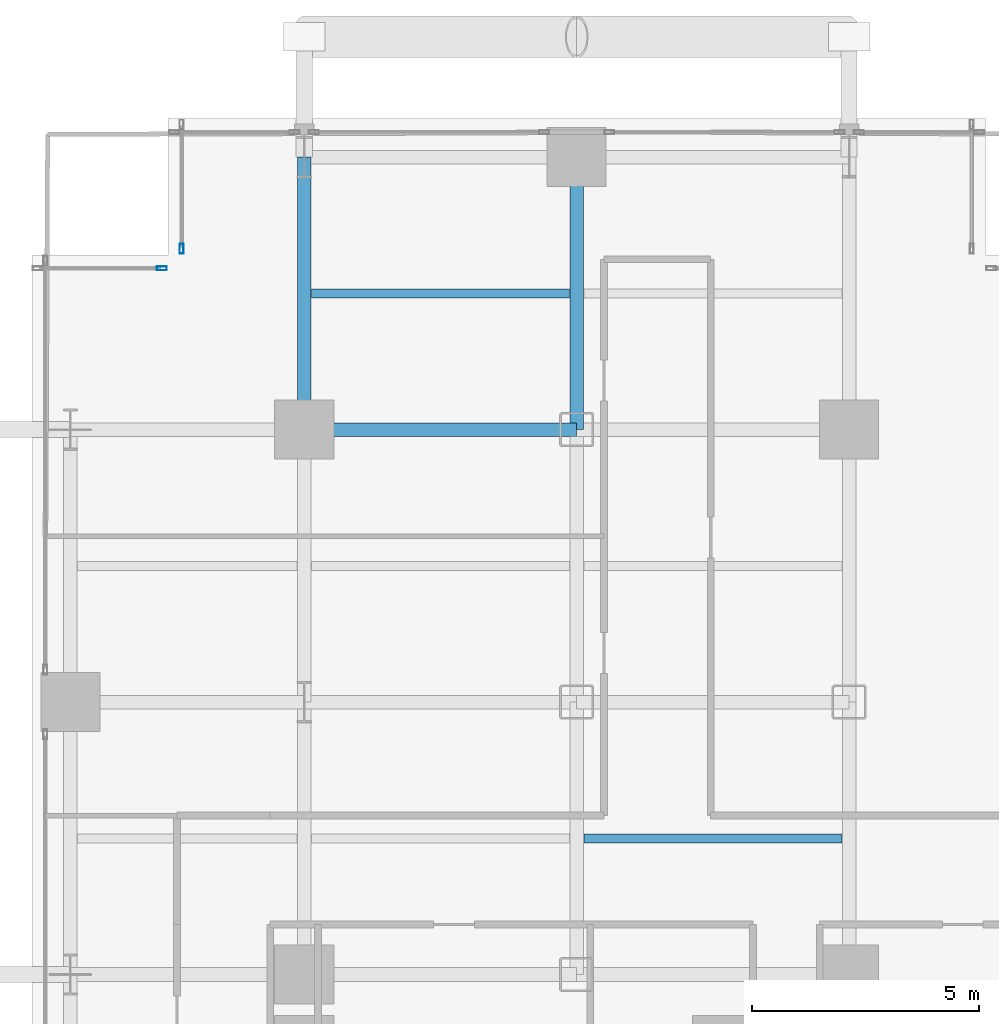
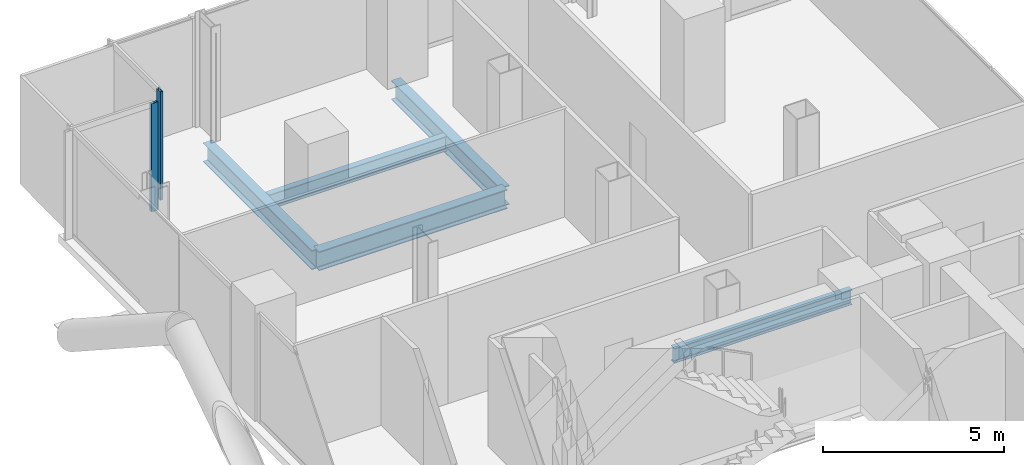
# One storey, part 14 of 25: 5 beams, 2 members, 2 elements without a shape of their own.
"""IFC4 building model written with IfcOpenShell, lengths in metres."""

from ifc_helpers import new_model, si_unit, direction, frame, origin, origin_2d, place, context, subcontext, project, spatial, hollow_rectangle, i_section, extrude, material, layer, layer_set, material_profile, profile_set, type_object, element, aggregate, save


model = new_model("IFC4")

# Units and contexts
model_context = context("Model", 3, precision=1e-05, world=origin(), true_north=direction((0.0, 1.0)))
body_context = subcontext(model_context, "Body", "Model", "MODEL_VIEW")
ifc_project = project(units=[si_unit("LENGTHUNIT", "METRE"), si_unit("AREAUNIT", "SQUARE_METRE"), si_unit("VOLUMEUNIT", "CUBIC_METRE"), si_unit("PLANEANGLEUNIT", "RADIAN"), si_unit("MASSUNIT", "GRAM", prefix="KILO"), si_unit("THERMODYNAMICTEMPERATUREUNIT", "KELVIN"), si_unit("POWERUNIT", "WATT")], contexts=[model_context])

# Site, building, storey
site_placement = place(None, origin())
site = spatial("IfcSite", under=ifc_project, at=site_placement, CompositionType="ELEMENT")
building_placement = place(site_placement, origin())
building = spatial("IfcBuilding", under=site, at=building_placement, Name="Svarakhadi Broadcast Tower", CompositionType="ELEMENT")
storey_placement = place(building_placement, frame((0.0, 0.0, 32.39990234375)))
storey = spatial("IfcBuildingStorey", under=building, at=storey_placement, Name="L06", CompositionType="ELEMENT", Elevation=32.39990234375)

# Beams
ifc_material_1 = material(Name="Steel S355J2 (IS 2062 E350C)", Category="steel")
ifc_material_profile_1 = material_profile(ifc_material_1, i_section(OverallWidth=0.199951171875, OverallDepth=0.5, WebThickness=0.01025390625, FlangeThickness=0.01611328125, FilletRadius=0.02099609375, at=origin_2d()), Name="NPB 500x200x91")
ifc_profile_set_1 = profile_set([ifc_material_profile_1], Name="Steel S355J2 (IS 2062 E350C)")
beam_type_1 = type_object("IfcBeamType", Name="Beam_NPB500", PredefinedType="BEAM", material=ifc_profile_set_1)
for number, where, z_axis, x_axis, name in (
    (1, (6.159912109375, 44.14990234375, -0.5), (1.0, 0.0, 0.0), (0.0, 1.0, 0.0), "L06 Secondary Composite Beam SB012"),
    (2, (12.159912109375, 32.14990234375, -0.5), (1.0, 0.0, 0.0), (0.0, 1.0, 0.0), "L06 Secondary Composite Beam SB016"),
):
    element("IfcBeam", number, at=place(storey_placement, frame(where, z_axis=z_axis, x_axis=x_axis)), inside=storey, type_object=beam_type_1, Name=name, PredefinedType="BEAM", context=body_context, shape_type="SweptSolid", body=[
        extrude(i_section(OverallWidth=0.199951171875, OverallDepth=0.5, WebThickness=0.01025390625, FlangeThickness=0.01611328125, FilletRadius=0.02099609375, at=origin_2d()), origin(), (0.0, 0.0, 1.0), 5.68017578125),
    ])

# Curtain wall, member
ifc_material_2 = material(Name="Anodised Bronze Aluminium AA 6063-T6", Category="aluminium")
ifc_layer = layer(ifc_material_2, 0.219970703125)
ifc_layer_set = layer_set([ifc_layer], Name="Anodised Bronze Aluminium AA 6063-T6")
curtain_wall_type = type_object("IfcCurtainWallType", Name="CW_Sys_02", PredefinedType="NOTDEFINED", material=ifc_layer_set)
curtain_wall_1_placement = place(storey_placement, origin())
curtain_wall_1 = element("IfcCurtainWall", 3, at=curtain_wall_1_placement, inside=storey, type_object=curtain_wall_type, Name="L06 Unitised Facade Curtain Wall 04", PredefinedType="NOTDEFINED")
ifc_material_profile_2 = material_profile(ifc_material_2, hollow_rectangle(XDim=0.0849609375, YDim=0.219970703125, WallThickness=0.006103515625, at=origin_2d()), Name="ALU MULLION 220x85x6")
ifc_profile_set_2 = profile_set([ifc_material_profile_2], Name="Anodised Bronze Aluminium AA 6063-T6")
member_type = type_object("IfcMemberType", Name="CW_Sys_02_Mul", PredefinedType="MULLION", material=ifc_profile_set_2)
member_1_placement = place(storey_placement, frame((2.867431640625, 44.699951171875, 0.0), z_axis=(0.0, 0.0, 1.0), x_axis=(0.0, 1.0, 0.0)))
member_1 = element("IfcMember", 4, at=member_1_placement, type_object=member_type, Name="CW-02 mullion 2", PredefinedType="MULLION", context=body_context, shape_type="SweptSolid", body=[
    extrude(hollow_rectangle(XDim=0.0849609375, YDim=0.219970703125, WallThickness=0.006103515625, at=origin_2d()), origin(), (0.0, 0.0, 1.0), 3.650146484375),
])
aggregate(curtain_wall_1, [member_1])

curtain_wall_2_placement = place(storey_placement, origin())
curtain_wall_2 = element("IfcCurtainWall", 5, at=curtain_wall_2_placement, inside=storey, type_object=curtain_wall_type, Name="L06 Unitised Facade Curtain Wall 05", PredefinedType="NOTDEFINED")
member_2_placement = place(storey_placement, frame((3.300048828125, 45.132568359375, 0.0), z_axis=(0.0, 0.0, 1.0), x_axis=(-1.0, 0.0, 0.0)))
member_2 = element("IfcMember", 6, at=member_2_placement, type_object=member_type, Name="CW-02 mullion 1", PredefinedType="MULLION", context=body_context, shape_type="SweptSolid", body=[
    extrude(hollow_rectangle(XDim=0.0849609375, YDim=0.219970703125, WallThickness=0.006103515625, at=origin_2d()), origin(), (0.0, 0.0, 1.0), 3.650146484375),
])
aggregate(curtain_wall_2, [member_2])

# Beams
ifc_material_profile_3 = material_profile(ifc_material_1, i_section(OverallWidth=0.300048828125, OverallDepth=0.64990234375, WebThickness=0.01611328125, FlangeThickness=0.031005859375, FilletRadius=0.027099609375, at=origin_2d()), Name="WPB 650x300x225")
ifc_profile_set_3 = profile_set([ifc_material_profile_3], Name="Steel S355J2 (IS 2062 E350C)")
beam_type_2 = type_object("IfcBeamType", Name="Girder_WPB650", PredefinedType="USERDEFINED", material=ifc_profile_set_3)
for number, where, z_axis, x_axis, name in (
    (7, (6.0, 41.14990234375, -0.574951171875), (1.0, 0.0, 0.0), (0.0, 1.0, 0.0), "L06 Primary E-W Girder G041"),
    (8, (6.0, 41.14990234375, -0.574951171875), (0.0, 1.0, 0.0), (-1.0, 0.0, 0.0), "L06 Primary N-S Girder G057"),
    (9, (12.0, 41.14990234375, -0.574951171875), (0.0, 1.0, 0.0), (-1.0, 0.0, 0.0), "L06 Primary N-S Girder G063"),
):
    element("IfcBeam", number, at=place(storey_placement, frame(where, z_axis=z_axis, x_axis=x_axis)), inside=storey, type_object=beam_type_2, Name=name, ObjectType="GIRDER", PredefinedType="USERDEFINED", context=body_context, shape_type="SweptSolid", body=[
        extrude(i_section(OverallWidth=0.300048828125, OverallDepth=0.64990234375, WebThickness=0.01611328125, FlangeThickness=0.031005859375, FilletRadius=0.027099609375, at=origin_2d()), origin(), (0.0, 0.0, 1.0), 6.0),
    ])

save(model, "model.ifc")
